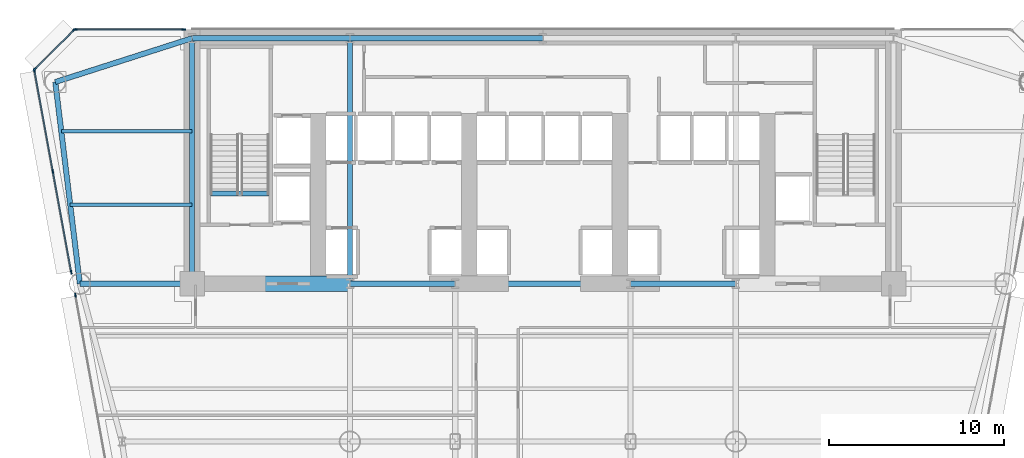
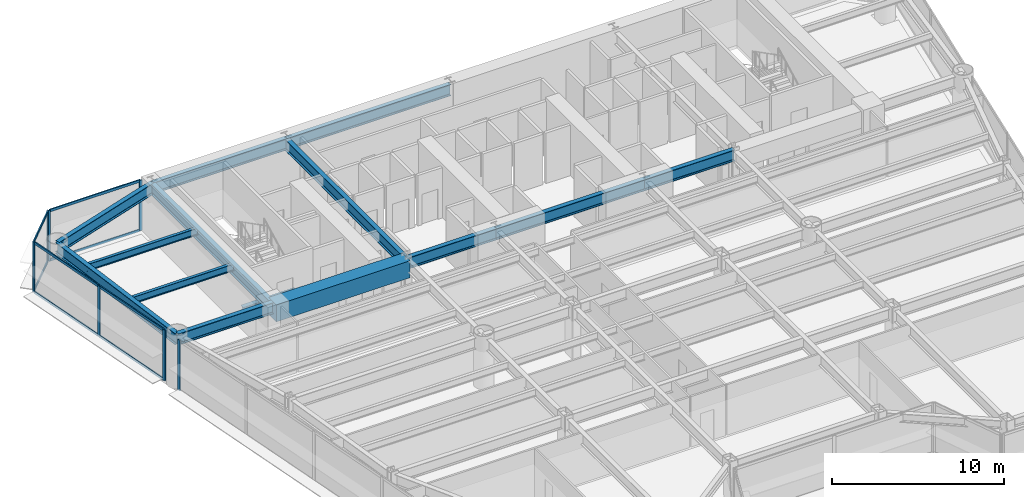
# One storey, part 5 of 14: 16 members, 14 beams, 4 elements without a shape of their own.
"""IFC4 building model written with IfcOpenShell, lengths in metres."""

from ifc_helpers import new_model, si_unit, direction, frame, origin, origin_2d, place, context, subcontext, project, spatial, rectangle, i_section, extrude, source, transform, mapped, material, layer, layer_set, material_profile, profile_set, type_object, element, aggregate, save


model = new_model("IFC4")

# Units and contexts
model_context = context("Model", 3, precision=1e-05, world=origin(), true_north=direction((0.0, 1.0)))
body_context = subcontext(model_context, "Body", "Model", "MODEL_VIEW")
ifc_project = project(units=[si_unit("LENGTHUNIT", "METRE"), si_unit("AREAUNIT", "SQUARE_METRE"), si_unit("VOLUMEUNIT", "CUBIC_METRE"), si_unit("PLANEANGLEUNIT", "RADIAN"), si_unit("MASSUNIT", "GRAM", prefix="KILO")], contexts=[model_context])

# Site, building, storey
site_placement = place(None, origin())
site = spatial("IfcSite", under=ifc_project, at=site_placement, CompositionType="ELEMENT")
building_placement = place(site_placement, origin())
building = spatial("IfcBuilding", under=site, at=building_placement, Name="Vaeldorn Concourse Tower", CompositionType="ELEMENT")
storey_placement = place(building_placement, frame((0.0, 0.0, 75.800048828125)))
storey = spatial("IfcBuildingStorey", under=building, at=storey_placement, Name="L19", CompositionType="ELEMENT", Elevation=75.800048828125)

# Beams
ifc_material_1 = material(Name="Concrete C60/75", Category="concrete")
ifc_material_profile_1 = material_profile(ifc_material_1, rectangle(XDim=0.89990234375, YDim=1.199951171875, at=origin_2d()), Name="RC 900x1200")
ifc_profile_set_1 = profile_set([ifc_material_profile_1], Name="Concrete C60/75")
beam_type_1 = type_object("IfcBeamType", Name="BM-CB-RC900", PredefinedType="BEAM", material=ifc_profile_set_1)
shared_shape_1 = source(origin(), body_context, "Body", "SweptSolid", [
    extrude(rectangle(XDim=0.89990234375, YDim=1.199951171875, at=origin_2d()), origin(), (0.0, 0.0, 1.0), 9.0),
])
beam_1_placement = place(storey_placement, frame((14.0, 36.5, 2.97998046875), z_axis=(1.0, 0.0, 0.0), x_axis=(0.0, 1.0, 0.0)))
element("IfcBeam", 1, at=beam_1_placement, inside=storey, type_object=beam_type_1, Name="Core Coupling Beam L19-1", PredefinedType="BEAM", context=body_context, shape_type="MappedRepresentation", body=[
    mapped(shared_shape_1, transform((0.0, 0.0, 0.0), scale=1.0)),
])
ifc_material_2 = material(Name="Steel S355", Category="steel")
ifc_material_profile_2 = material_profile(ifc_material_2, i_section(OverallWidth=0.300048828125, OverallDepth=0.340087890625, WebThickness=0.011962890625, FlangeThickness=0.021484375, FilletRadius=0.027099609375, at=origin_2d()), Name="HEB 340")
ifc_profile_set_2 = profile_set([ifc_material_profile_2], Name="Steel S355")
beam_type_2 = type_object("IfcBeamType", Name="BM-ST-TRIM", PredefinedType="BEAM", material=ifc_profile_set_2)
shared_shape_2 = source(origin(), body_context, "Body", "SweptSolid", [
    extrude(i_section(OverallWidth=0.300048828125, OverallDepth=0.340087890625, WebThickness=0.011962890625, FlangeThickness=0.021484375, FilletRadius=0.027099609375, at=origin_2d()), origin(), (0.0, 0.0, 1.0), 3.590087890625),
])
beam_2_placement = place(storey_placement, frame((14.929931640625, 41.639892578125, -0.39013671875), z_axis=(1.0, 0.0, 0.0), x_axis=(0.0, 1.0, 0.0)))
element("IfcBeam", 2, at=beam_2_placement, inside=storey, type_object=beam_type_2, Name="Stair Landing Trimmer Beam ST-1 L19", PredefinedType="BEAM", context=body_context, shape_type="MappedRepresentation", body=[
    mapped(shared_shape_2, transform((0.0, 0.0, 0.0), scale=1.0)),
])
ifc_material_profile_3 = material_profile(ifc_material_2, i_section(OverallWidth=0.300048828125, OverallDepth=0.800048828125, WebThickness=0.017578125, FlangeThickness=0.032958984375, FilletRadius=0.030029296875, at=origin_2d()), Name="HEB 800")
ifc_profile_set_3 = profile_set([ifc_material_profile_3], Name="Steel S355")
beam_type_3 = type_object("IfcBeamType", Name="BM-PG-HEB800", PredefinedType="BEAM", material=ifc_profile_set_3)
shared_shape_3 = source(origin(), body_context, "Body", "SweptSolid", [
    extrude(i_section(OverallWidth=0.300048828125, OverallDepth=0.800048828125, WebThickness=0.017578125, FlangeThickness=0.032958984375, FilletRadius=0.030029296875, at=origin_2d()), origin(), (0.0, 0.0, 1.0), 6.0),
])
for number, where, z_axis, x_axis, name in (
    (3, (23.0, 36.5, 3.179931640625), (1.0, 0.0, 0.0), (0.0, 1.0, 0.0), "Beam BM-L19-C-FC2-C-FC3"),
    (4, (39.0, 36.5, 3.179931640625), (1.0, 0.0, 0.0), (0.0, 1.0, 0.0), "Beam BM-L19-C-FC4-C-FC5"),
):
    element("IfcBeam", number, at=place(storey_placement, frame(where, z_axis=z_axis, x_axis=x_axis)), inside=storey, type_object=beam_type_3, Name=name, PredefinedType="BEAM", context=body_context, shape_type="MappedRepresentation", body=[
        mapped(shared_shape_3, transform((0.0, 0.0, 0.0), scale=1.0)),
    ])
shared_shape_4 = source(origin(), body_context, "Body", "SweptSolid", [
    extrude(i_section(OverallWidth=0.300048828125, OverallDepth=0.800048828125, WebThickness=0.017578125, FlangeThickness=0.032958984375, FilletRadius=0.030029296875, at=origin_2d()), origin(), (0.0, 0.0, 1.0), 10.0),
])
beam_3_placement = place(storey_placement, frame((29.0, 36.5, 3.179931640625), z_axis=(1.0, 0.0, 0.0), x_axis=(0.0, 1.0, 0.0)))
element("IfcBeam", 5, at=beam_3_placement, inside=storey, type_object=beam_type_3, Name="Beam BM-L19-C-FC3-C-FC4", PredefinedType="BEAM", context=body_context, shape_type="MappedRepresentation", body=[
    mapped(shared_shape_4, transform((0.0, 0.0, 0.0), scale=1.0)),
])
shared_shape_5 = source(origin(), body_context, "Body", "SweptSolid", [
    extrude(i_section(OverallWidth=0.300048828125, OverallDepth=0.800048828125, WebThickness=0.017578125, FlangeThickness=0.032958984375, FilletRadius=0.030029296875, at=origin_2d()), origin(), (0.0, 0.0, 1.0), 9.0),
])
beam_4_placement = place(storey_placement, frame((14.0, 50.5, 3.179931640625), z_axis=(1.0, 0.0, 0.0), x_axis=(0.0, 1.0, 0.0)))
element("IfcBeam", 6, at=beam_4_placement, inside=storey, type_object=beam_type_3, Name="Beam BM-L19-C-HC1-C-HC2", PredefinedType="BEAM", context=body_context, shape_type="MappedRepresentation", body=[
    mapped(shared_shape_5, transform((0.0, 0.0, 0.0), scale=1.0)),
])
shared_shape_6 = source(origin(), body_context, "Body", "SweptSolid", [
    extrude(i_section(OverallWidth=0.300048828125, OverallDepth=0.800048828125, WebThickness=0.017578125, FlangeThickness=0.032958984375, FilletRadius=0.030029296875, at=origin_2d()), origin(), (0.0, 0.0, 1.0), 11.0),
])
beam_5_placement = place(storey_placement, frame((23.0, 50.5, 3.179931640625), z_axis=(1.0, 0.0, 0.0), x_axis=(0.0, 1.0, 0.0)))
element("IfcBeam", 7, at=beam_5_placement, inside=storey, type_object=beam_type_3, Name="Beam BM-L19-C-HC2-C-HC3", PredefinedType="BEAM", context=body_context, shape_type="MappedRepresentation", body=[
    mapped(shared_shape_6, transform((0.0, 0.0, 0.0), scale=1.0)),
])
shared_shape_7 = source(origin(), body_context, "Body", "SweptSolid", [
    extrude(i_section(OverallWidth=0.300048828125, OverallDepth=0.800048828125, WebThickness=0.017578125, FlangeThickness=0.032958984375, FilletRadius=0.030029296875, at=origin_2d()), origin(), (0.0, 0.0, 1.0), 14.0),
])
for number, where, z_axis, x_axis, name in (
    (8, (14.0, 36.5, 3.179931640625), (0.0, 1.0, 0.0), (-1.0, 0.0, 0.0), "Beam BM-L19-C-FC1-C-HC1"),
    (9, (23.0, 36.5, 3.179931640625), (0.0, 1.0, 0.0), (-1.0, 0.0, 0.0), "Beam BM-L19-C-FC2-C-HC2"),
):
    element("IfcBeam", number, at=place(storey_placement, frame(where, z_axis=z_axis, x_axis=x_axis)), inside=storey, type_object=beam_type_3, Name=name, PredefinedType="BEAM", context=body_context, shape_type="MappedRepresentation", body=[
        mapped(shared_shape_7, transform((0.0, 0.0, 0.0), scale=1.0)),
    ])
shared_shape_8 = source(origin(), body_context, "Body", "SweptSolid", [
    extrude(i_section(OverallWidth=0.300048828125, OverallDepth=0.800048828125, WebThickness=0.017578125, FlangeThickness=0.032958984375, FilletRadius=0.030029296875, at=origin_2d()), origin(), (0.0, 0.0, 1.0), 8.19091796875),
])
beam_6_placement = place(storey_placement, frame((6.199951171875, 48.0, 3.179931640625), z_axis=(0.952282843383, 0.305216949396, 0.0), x_axis=(-0.305216949396, 0.952282843383, 0.0)))
element("IfcBeam", 10, at=beam_6_placement, inside=storey, type_object=beam_type_3, Name="Beam BM-L19-C-NW1-C-HC1", PredefinedType="BEAM", context=body_context, shape_type="MappedRepresentation", body=[
    mapped(shared_shape_8, transform((0.0, 0.0, 0.0), scale=1.0)),
])
shared_shape_9 = source(origin(), body_context, "Body", "SweptSolid", [
    extrude(i_section(OverallWidth=0.300048828125, OverallDepth=0.800048828125, WebThickness=0.017578125, FlangeThickness=0.032958984375, FilletRadius=0.030029296875, at=origin_2d()), origin(), (0.0, 0.0, 1.0), 11.5849609375),
])
beam_7_placement = place(storey_placement, frame((6.199951171875, 48.0, 3.179931640625), z_axis=(0.120859382899, -0.992669637677, 0.0), x_axis=(0.992669637677, 0.120859382899, 0.0)))
element("IfcBeam", 11, at=beam_7_placement, inside=storey, type_object=beam_type_3, Name="Beam BM-L19-C-NW1-C-NW2", PredefinedType="BEAM", context=body_context, shape_type="MappedRepresentation", body=[
    mapped(shared_shape_9, transform((0.0, 0.0, 0.0), scale=1.0)),
])
shared_shape_10 = source(origin(), body_context, "Body", "SweptSolid", [
    extrude(i_section(OverallWidth=0.300048828125, OverallDepth=0.800048828125, WebThickness=0.017578125, FlangeThickness=0.032958984375, FilletRadius=0.030029296875, at=origin_2d()), origin(), (0.0, 0.0, 1.0), 6.39990234375),
])
beam_8_placement = place(storey_placement, frame((7.60009765625, 36.5, 3.179931640625), z_axis=(1.0, 0.0, 0.0), x_axis=(0.0, 1.0, 0.0)))
element("IfcBeam", 12, at=beam_8_placement, inside=storey, type_object=beam_type_3, Name="Beam BM-L19-C-NW2-C-FC1", PredefinedType="BEAM", context=body_context, shape_type="MappedRepresentation", body=[
    mapped(shared_shape_10, transform((0.0, 0.0, 0.0), scale=1.0)),
])
ifc_material_profile_4 = material_profile(ifc_material_2, i_section(OverallWidth=0.199951171875, OverallDepth=0.5, WebThickness=0.01025390625, FlangeThickness=0.01611328125, FilletRadius=0.02099609375, at=origin_2d()), Name="IPE 500")
ifc_profile_set_4 = profile_set([ifc_material_profile_4], Name="Steel S355")
beam_type_4 = type_object("IfcBeamType", Name="BM-JS-IPE500", PredefinedType="JOIST", material=ifc_profile_set_4)
shared_shape_11 = source(origin(), body_context, "Body", "SweptSolid", [
    extrude(i_section(OverallWidth=0.199951171875, OverallDepth=0.5, WebThickness=0.01025390625, FlangeThickness=0.01611328125, FilletRadius=0.02099609375, at=origin_2d()), origin(), (0.0, 0.0, 1.0), 6.94775390625),
])
beam_9_placement = place(storey_placement, frame((7.05224609375, 41.0, 3.329833984375), z_axis=(1.0, 0.0, 0.0), x_axis=(0.0, 1.0, 0.0)))
element("IfcBeam", 13, at=beam_9_placement, inside=storey, type_object=beam_type_4, Name="Beam JS-L19-NW-410", PredefinedType="JOIST", context=body_context, shape_type="MappedRepresentation", body=[
    mapped(shared_shape_11, transform((0.0, 0.0, 0.0), scale=1.0)),
])
shared_shape_12 = source(origin(), body_context, "Body", "SweptSolid", [
    extrude(i_section(OverallWidth=0.199951171875, OverallDepth=0.5, WebThickness=0.01025390625, FlangeThickness=0.01611328125, FilletRadius=0.02099609375, at=origin_2d()), origin(), (0.0, 0.0, 1.0), 7.458984375),
])
beam_10_placement = place(storey_placement, frame((6.541015625, 45.199951171875, 3.329833984375), z_axis=(1.0, 0.0, 0.0), x_axis=(0.0, 1.0, 0.0)))
element("IfcBeam", 14, at=beam_10_placement, inside=storey, type_object=beam_type_4, Name="Beam JS-L19-NW-452", PredefinedType="JOIST", context=body_context, shape_type="MappedRepresentation", body=[
    mapped(shared_shape_12, transform((0.0, 0.0, 0.0), scale=1.0)),
])

# Curtain wall, members
ifc_material_3 = material(Name="Anodised Bronze Aluminium", Category="aluminium")
ifc_layer = layer(ifc_material_3, 0.219970703125)
ifc_layer_set = layer_set([ifc_layer], Name="Anodised Bronze Aluminium")
curtain_wall_type = type_object("IfcCurtainWallType", Name="CW-SYS-01", PredefinedType="NOTDEFINED", material=ifc_layer_set)
curtain_wall_1_placement = place(storey_placement, origin())
curtain_wall_1 = element("IfcCurtainWall", 15, at=curtain_wall_1_placement, inside=storey, type_object=curtain_wall_type, Name="Unitised Curtain Wall CW-L19-E09-2", PredefinedType="NOTDEFINED")
ifc_material_profile_5 = material_profile(ifc_material_3, rectangle(XDim=0.074951171875, YDim=0.219970703125, at=origin_2d()), Name="CWM 75x220")
ifc_profile_set_5 = profile_set([ifc_material_profile_5], Name="Anodised Bronze Aluminium")
member_type_1 = type_object("IfcMemberType", Name="CWM-BRONZE-220", PredefinedType="MULLION", material=ifc_profile_set_5)
shared_shape_13 = source(origin(), body_context, "Body", "SweptSolid", [
    extrude(rectangle(XDim=0.074951171875, YDim=0.219970703125, at=origin_2d()), origin(), (0.0, 0.0, 1.0), 3.579833984375),
])
member_1_placement = place(storey_placement, frame((13.517578125, 51.0, 0.0), z_axis=(0.0, 0.0, 1.0), x_axis=(0.0, -1.0, 0.0)))
member_1 = element("IfcMember", 16, at=member_1_placement, type_object=member_type_1, Name="CW-01 mullion 1", PredefinedType="MULLION", context=body_context, shape_type="MappedRepresentation", body=[
    mapped(shared_shape_13, transform((0.0, 0.0, 0.0), scale=1.0)),
])
member_2_placement = place(storey_placement, frame((7.33740234375, 51.0, 0.0), z_axis=(0.0, 0.0, 1.0), x_axis=(0.0, -1.0, 0.0)))
member_2 = element("IfcMember", 17, at=member_2_placement, type_object=member_type_1, Name="CW-01 mullion 2", PredefinedType="MULLION", context=body_context, shape_type="MappedRepresentation", body=[
    mapped(shared_shape_13, transform((0.0, 0.0, 0.0), scale=1.0)),
])

curtain_wall_2_placement = place(storey_placement, origin())
curtain_wall_2 = element("IfcCurtainWall", 18, at=curtain_wall_2_placement, inside=storey, type_object=curtain_wall_type, Name="Unitised Curtain Wall CW-L19-E10-1", PredefinedType="NOTDEFINED")
member_3_placement = place(storey_placement, frame((7.2734375, 50.973388671875, 0.0), z_axis=(0.0, 0.0, 1.0), x_axis=(0.707106781187, -0.707106781187, 0.0)))
member_3 = element("IfcMember", 19, at=member_3_placement, type_object=member_type_1, Name="CW-01 mullion 1", PredefinedType="MULLION", context=body_context, shape_type="MappedRepresentation", body=[
    mapped(shared_shape_13, transform((0.0, 0.0, 0.0), scale=1.0)),
])
member_4_placement = place(storey_placement, frame((5.026611328125, 48.7265625, 0.0), z_axis=(0.0, 0.0, 1.0), x_axis=(0.707106781187, -0.707106781187, 0.0)))
member_4 = element("IfcMember", 20, at=member_4_placement, type_object=member_type_1, Name="CW-01 mullion 2", PredefinedType="MULLION", context=body_context, shape_type="MappedRepresentation", body=[
    mapped(shared_shape_13, transform((0.0, 0.0, 0.0), scale=1.0)),
])

curtain_wall_3_placement = place(storey_placement, origin())
curtain_wall_3 = element("IfcCurtainWall", 21, at=curtain_wall_3_placement, inside=storey, type_object=curtain_wall_type, Name="Unitised Curtain Wall CW-L19-E11-1", PredefinedType="NOTDEFINED")
member_5_placement = place(storey_placement, frame((5.0068359375, 48.6630859375, 0.0), z_axis=(0.0, 0.0, 1.0), x_axis=(0.983711732506, 0.179753240108, 0.0)))
member_5 = element("IfcMember", 22, at=member_5_placement, type_object=member_type_1, Name="CW-01 mullion 1", PredefinedType="MULLION", context=body_context, shape_type="MappedRepresentation", body=[
    mapped(shared_shape_13, transform((0.0, 0.0, 0.0), scale=1.0)),
])
member_6_placement = place(storey_placement, frame((6.05810546875, 42.90966796875, 0.0), z_axis=(0.0, 0.0, 1.0), x_axis=(0.983711732506, 0.179753240108, 0.0)))
member_6 = element("IfcMember", 23, at=member_6_placement, type_object=member_type_1, Name="CW-01 mullion 2", PredefinedType="MULLION", context=body_context, shape_type="MappedRepresentation", body=[
    mapped(shared_shape_13, transform((0.0, 0.0, 0.0), scale=1.0)),
])
member_7_placement = place(storey_placement, frame((7.109375, 37.156494140625, 0.0), z_axis=(0.0, 0.0, 1.0), x_axis=(0.983711732506, 0.179753240108, 0.0)))
member_7 = element("IfcMember", 24, at=member_7_placement, type_object=member_type_1, Name="CW-01 mullion 3", PredefinedType="MULLION", context=body_context, shape_type="MappedRepresentation", body=[
    mapped(shared_shape_13, transform((0.0, 0.0, 0.0), scale=1.0)),
])

# Curtain wall, member
curtain_wall_4_placement = place(storey_placement, origin())
curtain_wall_4 = element("IfcCurtainWall", 25, at=curtain_wall_4_placement, inside=storey, type_object=curtain_wall_type, Name="Unitised Curtain Wall CW-L19-E11-2", PredefinedType="NOTDEFINED")
member_8_placement = place(storey_placement, frame((7.34912109375, 35.843505859375, 0.0), z_axis=(0.0, 0.0, 1.0), x_axis=(0.983712105804, 0.179751197201, 0.0)))
member_8 = element("IfcMember", 26, at=member_8_placement, type_object=member_type_1, Name="CW-01 mullion 1", PredefinedType="MULLION", context=body_context, shape_type="MappedRepresentation", body=[
    mapped(shared_shape_13, transform((0.0, 0.0, 0.0), scale=1.0)),
])
aggregate(curtain_wall_4, [member_8])

# Member
ifc_material_profile_6 = material_profile(ifc_material_3, rectangle(XDim=0.074951171875, YDim=0.179931640625, at=origin_2d()), Name="CWT 75x180")
ifc_profile_set_6 = profile_set([ifc_material_profile_6], Name="Anodised Bronze Aluminium")
member_type_2 = type_object("IfcMemberType", Name="CWT-BRONZE-180", PredefinedType="USERDEFINED", material=ifc_profile_set_6)
shared_shape_14 = source(origin(), body_context, "Body", "SweptSolid", [
    extrude(rectangle(XDim=0.074951171875, YDim=0.179931640625, at=origin_2d()), origin(), (0.0, 0.0, 1.0), 3.10302734375),
])
member_9_placement = place(storey_placement, frame((7.2470703125, 50.947021484375, 0.037353515625), z_axis=(-0.707106781187, -0.707106781187, 0.0), x_axis=(0.707106781187, -0.707106781187, 0.0)))
member_9 = element("IfcMember", 27, at=member_9_placement, type_object=member_type_2, Name="CW-01 transom 1.1", ObjectType="TRANSOM", PredefinedType="USERDEFINED", context=body_context, shape_type="MappedRepresentation", body=[
    mapped(shared_shape_14, transform((0.0, 0.0, 0.0), scale=1.0)),
])

member_10_placement = place(storey_placement, frame((7.2470703125, 50.947021484375, 3.54248046875), z_axis=(-0.707106781187, -0.707106781187, 0.0), x_axis=(0.707106781187, -0.707106781187, 0.0)))
member_10 = element("IfcMember", 28, at=member_10_placement, type_object=member_type_2, Name="CW-01 transom 1.2", ObjectType="TRANSOM", PredefinedType="USERDEFINED", context=body_context, shape_type="MappedRepresentation", body=[
    mapped(shared_shape_14, transform((0.0, 0.0, 0.0), scale=1.0)),
])

aggregate(curtain_wall_2, [member_3, member_4, member_9, member_10])

shared_shape_15 = source(origin(), body_context, "Body", "SweptSolid", [
    extrude(rectangle(XDim=0.074951171875, YDim=0.179931640625, at=origin_2d()), origin(), (0.0, 0.0, 1.0), 6.10498046875),
])
member_11_placement = place(storey_placement, frame((13.47998046875, 51.0, 0.037353515625), z_axis=(-1.0, 0.0, 0.0), x_axis=(0.0, -1.0, 0.0)))
member_11 = element("IfcMember", 29, at=member_11_placement, type_object=member_type_2, Name="CW-01 transom 1.1", ObjectType="TRANSOM", PredefinedType="USERDEFINED", context=body_context, shape_type="MappedRepresentation", body=[
    mapped(shared_shape_15, transform((0.0, 0.0, 0.0), scale=1.0)),
])

member_12_placement = place(storey_placement, frame((13.47998046875, 51.0, 3.54248046875), z_axis=(-1.0, 0.0, 0.0), x_axis=(0.0, -1.0, 0.0)))
member_12 = element("IfcMember", 30, at=member_12_placement, type_object=member_type_2, Name="CW-01 transom 1.2", ObjectType="TRANSOM", PredefinedType="USERDEFINED", context=body_context, shape_type="MappedRepresentation", body=[
    mapped(shared_shape_15, transform((0.0, 0.0, 0.0), scale=1.0)),
])

aggregate(curtain_wall_1, [member_1, member_2, member_11, member_12])

shared_shape_16 = source(origin(), body_context, "Body", "SweptSolid", [
    extrude(rectangle(XDim=0.074951171875, YDim=0.179931640625, at=origin_2d()), origin(), (0.0, 0.0, 1.0), 5.7734375),
])
member_13_placement = place(storey_placement, frame((6.064697265625, 42.872802734375, 0.037353515625), z_axis=(0.179759852071, -0.983710524282, 0.0), x_axis=(0.983710524282, 0.179759852071, 0.0)))
member_13 = element("IfcMember", 31, at=member_13_placement, type_object=member_type_2, Name="CW-01 transom 2.1", ObjectType="TRANSOM", PredefinedType="USERDEFINED", context=body_context, shape_type="MappedRepresentation", body=[
    mapped(shared_shape_16, transform((0.0, 0.0, 0.0), scale=1.0)),
])

member_14_placement = place(storey_placement, frame((6.064697265625, 42.872802734375, 3.54248046875), z_axis=(0.179759852071, -0.983710524282, 0.0), x_axis=(0.983710524282, 0.179759852071, 0.0)))
member_14 = element("IfcMember", 32, at=member_14_placement, type_object=member_type_2, Name="CW-01 transom 2.2", ObjectType="TRANSOM", PredefinedType="USERDEFINED", context=body_context, shape_type="MappedRepresentation", body=[
    mapped(shared_shape_16, transform((0.0, 0.0, 0.0), scale=1.0)),
])

shared_shape_17 = source(origin(), body_context, "Body", "SweptSolid", [
    extrude(rectangle(XDim=0.074951171875, YDim=0.179931640625, at=origin_2d()), origin(), (0.0, 0.0, 1.0), 5.773681640625),
])
member_15_placement = place(storey_placement, frame((5.013427734375, 48.626220703125, 0.037353515625), z_axis=(0.179752374787, -0.983711890626, 0.0), x_axis=(0.983711890626, 0.179752374787, 0.0)))
member_15 = element("IfcMember", 33, at=member_15_placement, type_object=member_type_2, Name="CW-01 transom 1.1", ObjectType="TRANSOM", PredefinedType="USERDEFINED", context=body_context, shape_type="MappedRepresentation", body=[
    mapped(shared_shape_17, transform((0.0, 0.0, 0.0), scale=1.0)),
])

member_16_placement = place(storey_placement, frame((5.013427734375, 48.626220703125, 3.54248046875), z_axis=(0.179752374787, -0.983711890626, 0.0), x_axis=(0.983711890626, 0.179752374787, 0.0)))
member_16 = element("IfcMember", 34, at=member_16_placement, type_object=member_type_2, Name="CW-01 transom 1.2", ObjectType="TRANSOM", PredefinedType="USERDEFINED", context=body_context, shape_type="MappedRepresentation", body=[
    mapped(shared_shape_17, transform((0.0, 0.0, 0.0), scale=1.0)),
])

aggregate(curtain_wall_3, [member_5, member_6, member_7, member_15, member_16, member_13, member_14])

save(model, "model.ifc")
